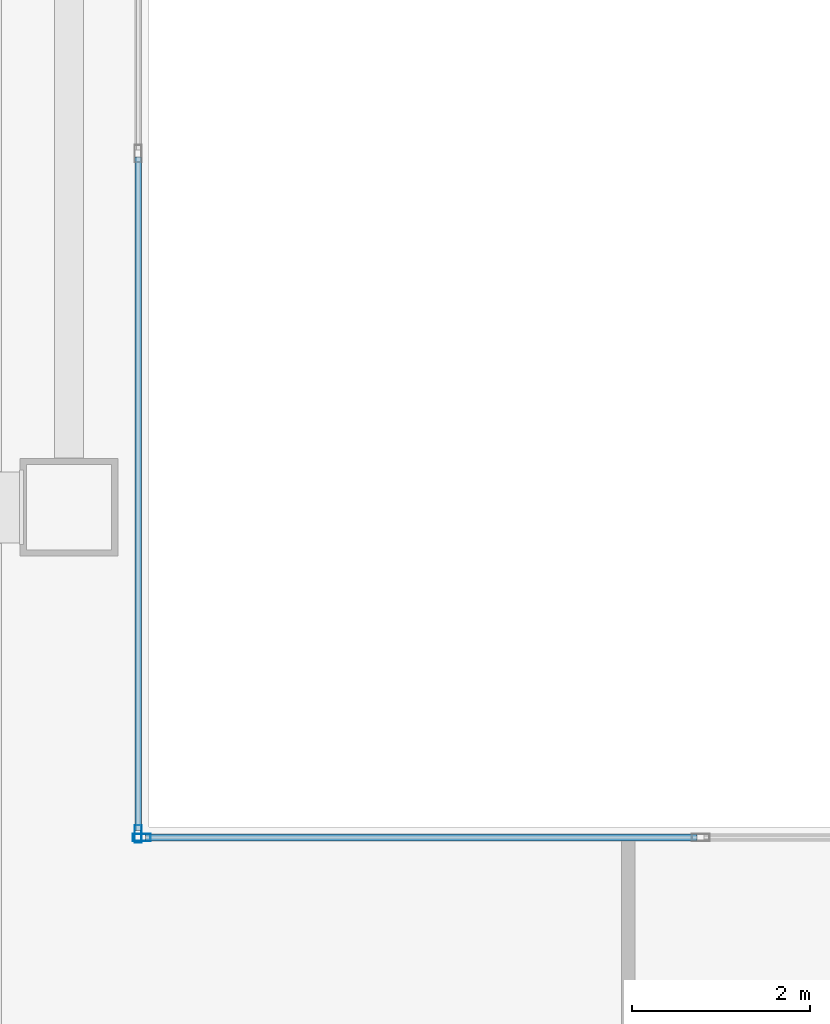
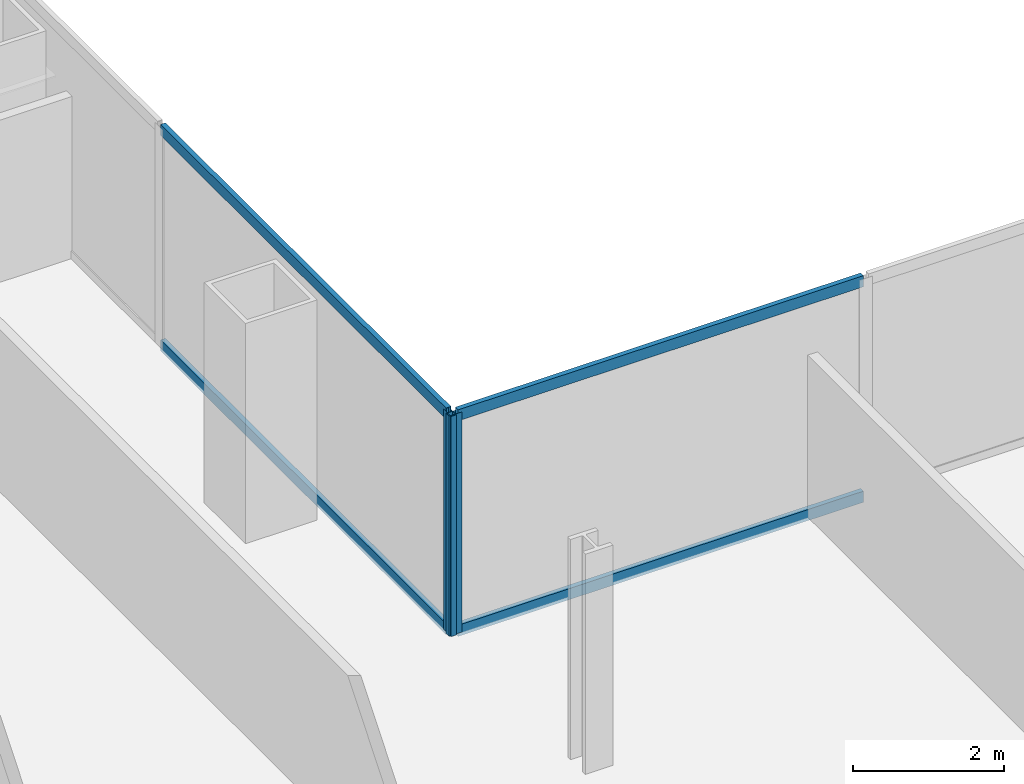
# One storey, part 6 of 24: 6 members, 2 elements without a shape of their own.
"""IFC4 building model written with IfcOpenShell, lengths in metres."""

from ifc_helpers import new_model, si_unit, direction, frame, origin, origin_2d, place, context, subcontext, project, spatial, hollow_rectangle, extrude, material, material_profile, profile_set, type_object, element, aggregate, save


model = new_model("IFC4")

# Units and contexts
model_context = context("Model", 3, precision=1e-05, world=origin(), true_north=direction((0.0, 1.0)))
body_context = subcontext(model_context, "Body", "Model", "MODEL_VIEW")
ifc_project = project(units=[si_unit("LENGTHUNIT", "METRE"), si_unit("AREAUNIT", "SQUARE_METRE"), si_unit("VOLUMEUNIT", "CUBIC_METRE"), si_unit("PLANEANGLEUNIT", "RADIAN"), si_unit("MASSUNIT", "GRAM", prefix="KILO")], contexts=[model_context])

# Site, building, storey
site_placement = place(None, origin())
site = spatial("IfcSite", under=ifc_project, at=site_placement, CompositionType="ELEMENT")
building_placement = place(site_placement, origin())
building = spatial("IfcBuilding", under=site, at=building_placement, Name="Cobrela Telecom Tower", CompositionType="ELEMENT")
storey_placement = place(building_placement, frame((0.0, 0.0, 31.14990234375)))
storey = spatial("IfcBuildingStorey", under=building, at=storey_placement, Name="L07", CompositionType="ELEMENT", Elevation=31.14990234375)

# Curtain wall, member
ifc_material = material(Name="Anodized Bronze Aluminium 6063-T6", Category="aluminium")
curtain_wall_type = type_object("IfcCurtainWallType", Name="CW-SYS-DATA", PredefinedType="USERDEFINED", material=ifc_material)
curtain_wall_1_placement = place(storey_placement, origin())
curtain_wall_1 = element("IfcCurtainWall", 1, at=curtain_wall_1_placement, inside=storey, type_object=curtain_wall_type, Name="L07 Unitised Bronze Curtain Wall 10", ObjectType="UNITISED CURTAIN WALL", PredefinedType="USERDEFINED")
ifc_material_profile_1 = material_profile(ifc_material, hollow_rectangle(XDim=0.080078125, YDim=0.199951171875, WallThickness=0.00390625, at=origin_2d()), Name="ALU 80x200x4")
ifc_profile_set_1 = profile_set([ifc_material_profile_1], Name="Anodized Bronze Aluminium 6063-T6")
member_type_1 = type_object("IfcMemberType", Name="CW-SYS-DATA-MUL", PredefinedType="MULLION", material=ifc_profile_set_1)
member_1_placement = place(storey_placement, frame((28.679931640625, 25.1201171875, 0.0), z_axis=(0.0, 0.0, 1.0), x_axis=(1.0, 0.0, 0.0)))
member_1 = element("IfcMember", 2, at=member_1_placement, type_object=member_type_1, Name="CW-DATA mullion 3", PredefinedType="MULLION", context=body_context, shape_type="SweptSolid", body=[
    extrude(hollow_rectangle(XDim=0.080078125, YDim=0.199951171875, WallThickness=0.00390625, at=origin_2d()), origin(), (0.0, 0.0, 1.0), 3.570068359375),
])

curtain_wall_2_placement = place(storey_placement, origin())
curtain_wall_2 = element("IfcCurtainWall", 3, at=curtain_wall_2_placement, inside=storey, type_object=curtain_wall_type, Name="L07 Unitised Bronze Curtain Wall 11", ObjectType="UNITISED CURTAIN WALL", PredefinedType="USERDEFINED")
member_2_placement = place(storey_placement, frame((28.719970703125, 25.080078125, 0.0), z_axis=(0.0, 0.0, 1.0), x_axis=(0.0, 1.0, 0.0)))
member_2 = element("IfcMember", 4, at=member_2_placement, type_object=member_type_1, Name="CW-DATA mullion 1", PredefinedType="MULLION", context=body_context, shape_type="SweptSolid", body=[
    extrude(hollow_rectangle(XDim=0.080078125, YDim=0.199951171875, WallThickness=0.00390625, at=origin_2d()), origin(), (0.0, 0.0, 1.0), 3.570068359375),
])

# Member
ifc_material_profile_2 = material_profile(ifc_material, hollow_rectangle(XDim=0.074951171875, YDim=0.179931640625, WallThickness=0.00390625, at=origin_2d()), Name="ALU 75x180x4")
ifc_profile_set_2 = profile_set([ifc_material_profile_2], Name="Anodized Bronze Aluminium 6063-T6")
member_type_2 = type_object("IfcMemberType", Name="CW-SYS-DATA-TRN", PredefinedType="USERDEFINED", material=ifc_profile_set_2)
member_3_placement = place(storey_placement, frame((28.679931640625, 32.7451171875, 0.03759765625), z_axis=(0.0, -1.0, 0.0), x_axis=(1.0, 0.0, 0.0)))
member_3 = element("IfcMember", 5, at=member_3_placement, type_object=member_type_2, Name="CW-DATA transom 2.1", ObjectType="TRANSOM", PredefinedType="USERDEFINED", context=body_context, shape_type="SweptSolid", body=[
    extrude(hollow_rectangle(XDim=0.074951171875, YDim=0.179931640625, WallThickness=0.00390625, at=origin_2d()), origin(), (0.0, 0.0, 1.0), 7.585205078125),
])

member_4_placement = place(storey_placement, frame((28.679931640625, 32.7451171875, 3.53271484375), z_axis=(0.0, -1.0, 0.0), x_axis=(1.0, 0.0, 0.0)))
member_4 = element("IfcMember", 6, at=member_4_placement, type_object=member_type_2, Name="CW-DATA transom 2.2", ObjectType="TRANSOM", PredefinedType="USERDEFINED", context=body_context, shape_type="SweptSolid", body=[
    extrude(hollow_rectangle(XDim=0.074951171875, YDim=0.179931640625, WallThickness=0.00390625, at=origin_2d()), origin(), (0.0, 0.0, 1.0), 7.585205078125),
])

aggregate(curtain_wall_1, [member_1, member_3, member_4])

member_5_placement = place(storey_placement, frame((28.760009765625, 25.080078125, 0.03759765625), z_axis=(1.0, 0.0, 0.0), x_axis=(0.0, 1.0, 0.0)))
member_5 = element("IfcMember", 7, at=member_5_placement, type_object=member_type_2, Name="CW-DATA transom 1.1", ObjectType="TRANSOM", PredefinedType="USERDEFINED", context=body_context, shape_type="SweptSolid", body=[
    extrude(hollow_rectangle(XDim=0.074951171875, YDim=0.179931640625, WallThickness=0.00390625, at=origin_2d()), origin(), (0.0, 0.0, 1.0), 6.216552734375),
])

member_6_placement = place(storey_placement, frame((28.760009765625, 25.080078125, 3.53271484375), z_axis=(1.0, 0.0, 0.0), x_axis=(0.0, 1.0, 0.0)))
member_6 = element("IfcMember", 8, at=member_6_placement, type_object=member_type_2, Name="CW-DATA transom 1.2", ObjectType="TRANSOM", PredefinedType="USERDEFINED", context=body_context, shape_type="SweptSolid", body=[
    extrude(hollow_rectangle(XDim=0.074951171875, YDim=0.179931640625, WallThickness=0.00390625, at=origin_2d()), origin(), (0.0, 0.0, 1.0), 6.216552734375),
])

aggregate(curtain_wall_2, [member_2, member_5, member_6])

save(model, "model.ifc")
